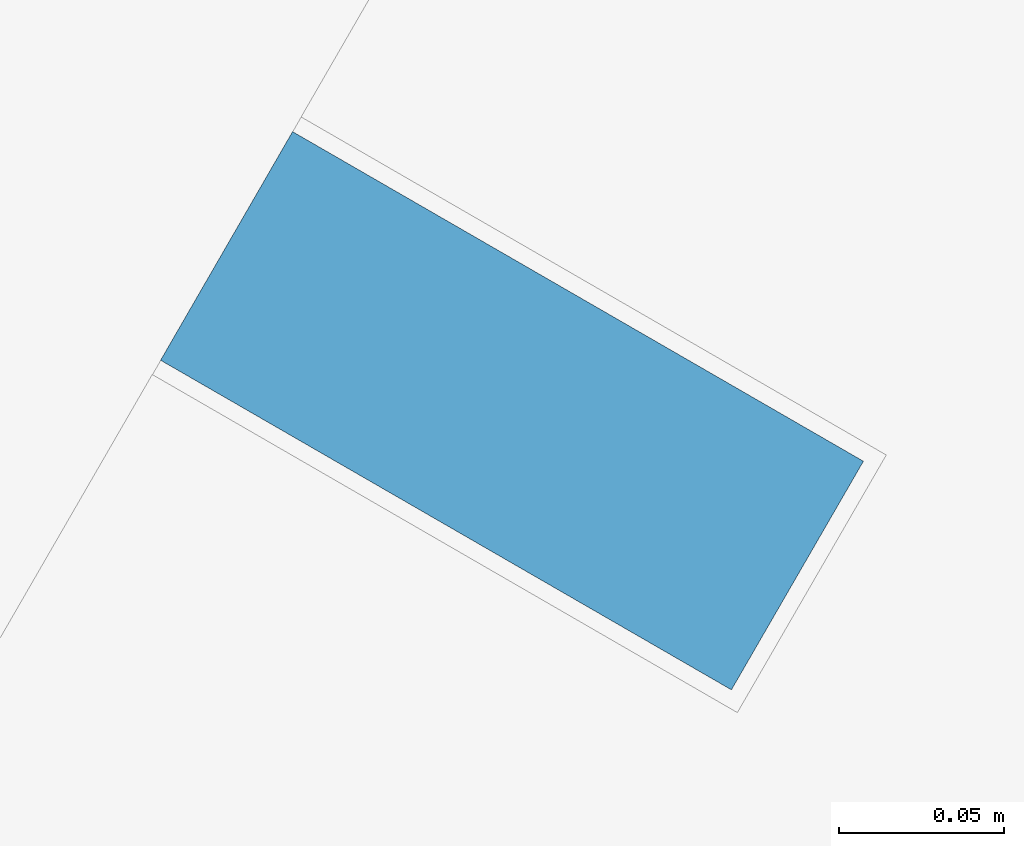
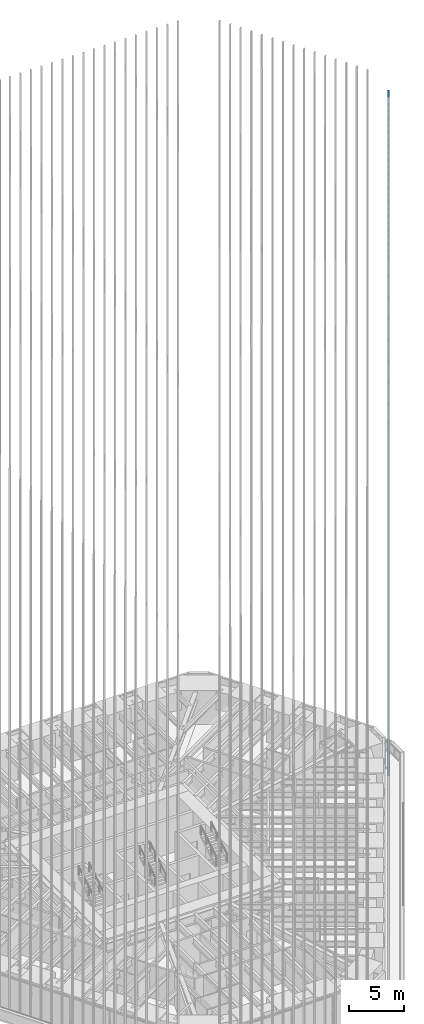
# One storey, part 179 of 238: 1 member, 1 element without a shape of its own.
"""IFC4 building model written with IfcOpenShell, lengths in metres."""

from ifc_helpers import new_model, si_unit, direction, frame, origin, origin_2d, place, context, subcontext, project, spatial, rectangle, extrude, material, material_profile, profile_set, type_object, element, aggregate, save


model = new_model("IFC4")

# Units and contexts
model_context = context("Model", 3, precision=1e-05, world=origin(), true_north=direction((0.0, 1.0)))
body_context = subcontext(model_context, "Body", "Model", "MODEL_VIEW")
ifc_project = project(units=[si_unit("LENGTHUNIT", "METRE"), si_unit("AREAUNIT", "SQUARE_METRE"), si_unit("VOLUMEUNIT", "CUBIC_METRE"), si_unit("PLANEANGLEUNIT", "RADIAN"), si_unit("MASSUNIT", "GRAM", prefix="KILO")], contexts=[model_context])

# Site, building, storey
site_placement = place(None, origin())
site = spatial("IfcSite", under=ifc_project, at=site_placement, CompositionType="ELEMENT")
building_placement = place(site_placement, origin())
building = spatial("IfcBuilding", under=site, at=building_placement, Name="Sandreach Pilgrim Tower", CompositionType="ELEMENT")
storey_placement = place(building_placement, frame((0.0, 0.0, 96.800048828125)))
storey = spatial("IfcBuildingStorey", under=building, at=storey_placement, Name="L23", CompositionType="ELEMENT", Elevation=96.800048828125)

# Curtain wall, member
ifc_material_1 = material(Name="Aluminium framed curtain wall", Category="aluminium")
curtain_wall_type = type_object("IfcCurtainWallType", Name="Hotel tower curtain wall", PredefinedType="NOTDEFINED", material=ifc_material_1)
curtain_wall_placement = place(storey_placement, origin())
curtain_wall = element("IfcCurtainWall", 1, at=curtain_wall_placement, inside=storey, type_object=curtain_wall_type, Name="CW-2 L23 SE", PredefinedType="NOTDEFINED")
ifc_material_2 = material(Name="Extruded terracotta on aluminium core", Category="masonry")
ifc_material_profile = material_profile(ifc_material_2, rectangle(XDim=0.080078125, YDim=0.199951171875, at=origin_2d()), Name="TBE 80X200")
ifc_profile_set = profile_set([ifc_material_profile], Name="Extruded terracotta on aluminium core")
member_type = type_object("IfcMemberType", Name="Terracotta baguette east", PredefinedType="USERDEFINED", material=ifc_profile_set)
member_placement = place(storey_placement, frame((28.63232421875, 3.80517578125, 0.0), z_axis=(0.0, 0.0, 1.0), x_axis=(-0.5, -0.866025403784, 0.0)))
member = element("IfcMember", 2, at=member_placement, type_object=member_type, Name="Baguette Z2 SE01", ObjectType="BAGUETTE", PredefinedType="USERDEFINED", context=body_context, shape_type="SweptSolid", body=[
    extrude(rectangle(XDim=0.080078125, YDim=0.199951171875, at=origin_2d()), origin(), (0.0, 0.0, 1.0), 75.83984375),
])
aggregate(curtain_wall, [member])

save(model, "model.ifc")
